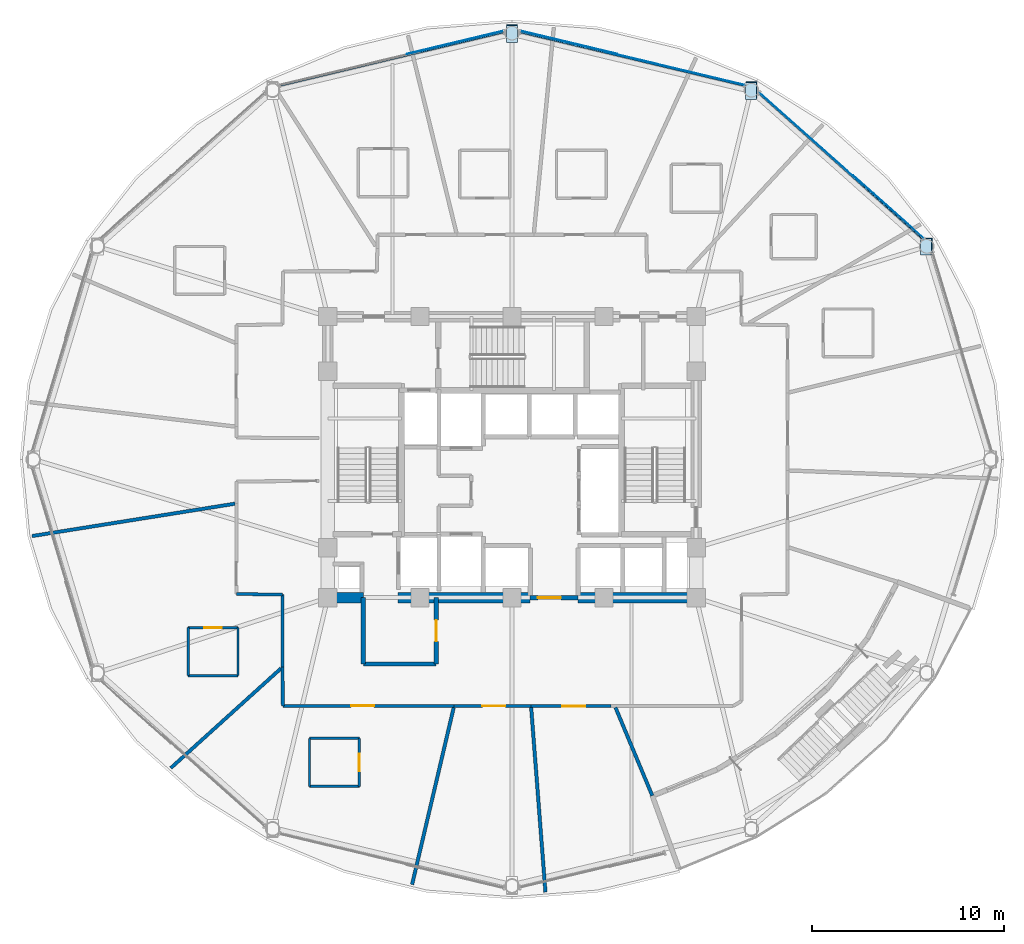
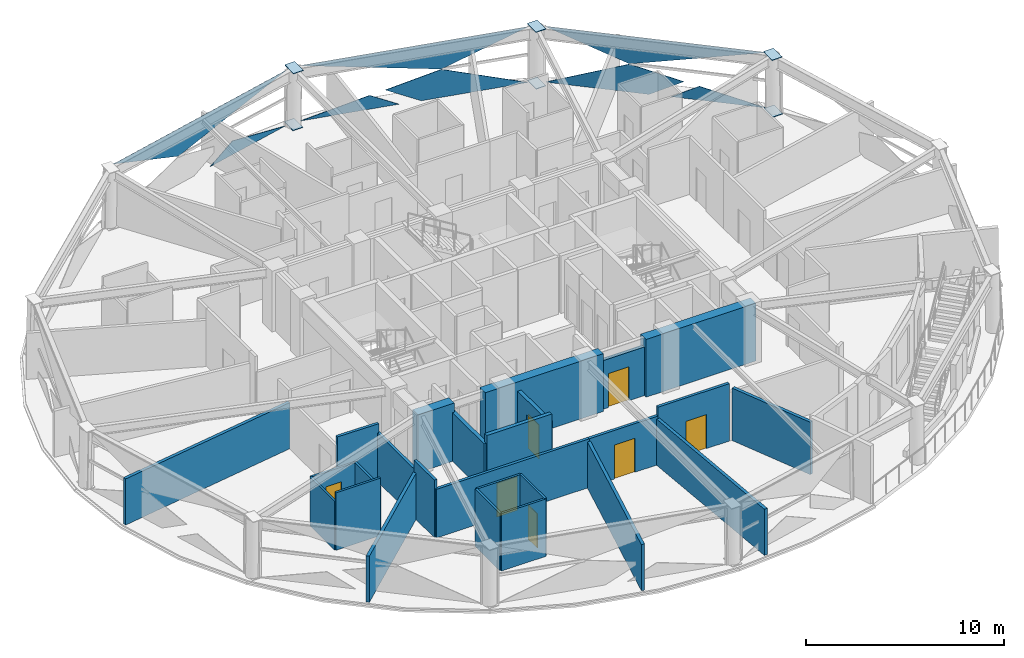
# One storey, part 10 of 18: 26 walls, 14 plates, 7 doors, 7 openings, 3 elements without a shape of their own.
"""IFC4 building model written with IfcOpenShell, lengths in metres."""

from ifc_helpers import new_model, si_unit, direction, frame, frame_2d, origin, place, context, subcontext, project, spatial, polyline, rectangle, outline, extrude, material, layer, layer_set, type_object, element, fill, aggregate, save


model = new_model("IFC4")

# Units and contexts
model_context = context("Model", 3, precision=1e-05, world=origin(), true_north=direction((0.0, 1.0)))
body_context = subcontext(model_context, "Body", "Model", "MODEL_VIEW")
ifc_project = project(units=[si_unit("LENGTHUNIT", "METRE"), si_unit("AREAUNIT", "SQUARE_METRE"), si_unit("VOLUMEUNIT", "CUBIC_METRE"), si_unit("PLANEANGLEUNIT", "RADIAN"), si_unit("MASSUNIT", "GRAM", prefix="KILO")], contexts=[model_context])

# Site, building, storey
site_placement = place(None, origin())
site = spatial("IfcSite", under=ifc_project, at=site_placement, CompositionType="ELEMENT")
building_placement = place(site_placement, origin())
building = spatial("IfcBuilding", under=site, at=building_placement, Name="Vantalir Tower", CompositionType="ELEMENT")
storey_placement = place(building_placement, frame((0.0, 0.0, 138.449951171875)))
storey = spatial("IfcBuildingStorey", under=building, at=storey_placement, Name="L34", CompositionType="ELEMENT", Elevation=138.449951171875)

# Curtain wall, plates
ifc_material_1 = material(Name="Champagne-silver PVDF aluminium and double-silver Low-E glass", Category="aluminium")
ifc_layer_1 = layer(ifc_material_1, 0.199951171875)
ifc_layer_set_1 = layer_set([ifc_layer_1], Name="Champagne-silver PVDF aluminium and double-silver Low-E glass")
curtain_wall_type = type_object("IfcCurtainWallType", Name="CW-DIAMOND-Z2", PredefinedType="USERDEFINED", material=ifc_layer_set_1)
curtain_wall_1_placement = place(storey_placement, origin())
curtain_wall_1 = element("IfcCurtainWall", 1, at=curtain_wall_1_placement, inside=storey, type_object=curtain_wall_type, Name="L34 Quilted Pyramid-Diamond Curtain Wall S02", ObjectType="UNITISED CURTAIN WALL", PredefinedType="USERDEFINED")
ifc_material_2 = material(Name="Double-silver Low-E laminated glass IGU", Category="glass")
ifc_layer_2 = layer(ifc_material_2, 0.028076171875)
ifc_layer_set_2 = layer_set([ifc_layer_2], Name="Double-silver Low-E laminated glass IGU")
plate_type_1 = type_object("IfcPlateType", Name="CWP-IGU-28", PredefinedType="CURTAIN_PANEL", material=ifc_layer_set_2)
plate_1_placement = place(storey_placement, frame((48.421630859375, 40.55029296875, 0.046630859375), z_axis=(0.665449307247, 0.746439611625, 0.002263996557), x_axis=(-0.746441524572, 0.665451012768, -4.3654e-08)))
plate_1 = element("IfcPlate", 2, at=plate_1_placement, type_object=plate_type_1, Name="CW-L34-S02 Pyramid Diamond Facet 1L", PredefinedType="CURTAIN_PANEL", context=body_context, shape_type="SweptSolid", body=[
    extrude(outline(polyline([(0.0, 0.0), (5.361467424654084, 0.0), (1.014038198574567, 1.7265669691877288), (-1.7937146036112217, 1.04175040436602), (0.0, 0.0)])), origin(), (0.0, 0.0, -1.0), 0.028076171875),
])
plate_2_placement = place(storey_placement, frame((52.9697265625, 36.53857421875, 0.046630859375), z_axis=(0.665458957582, 0.746431302276, 0.002164891852), x_axis=(-0.746433051453, 0.66546051701, 0.0)))
plate_2 = element("IfcPlate", 3, at=plate_2_placement, type_object=plate_type_1, Name="CW-L34-S02 Pyramid Diamond Facet 1L Infill Light", PredefinedType="CURTAIN_PANEL", context=body_context, shape_type="SweptSolid", body=[
    extrude(outline(polyline([(0.0, 0.0), (4.929695292616306, -8.673617379884035e-19), (3.471590010434163, 0.846681671597837), (0.0, 0.0)])), origin(), (0.0, 0.0, -1.0), 0.028076171875),
])
plate_3_placement = place(storey_placement, frame((44.388671875, 44.0703125, 3.5234375), z_axis=(0.665089471879, 0.746165478861, 0.029884319515), x_axis=(0.746498465783, -0.665387135527, 2.1424018e-05)))
plate_3 = element("IfcPlate", 4, at=plate_3_placement, type_object=plate_type_1, Name="CW-L34-S02 Pyramid Diamond Facet 2U", PredefinedType="CURTAIN_PANEL", context=body_context, shape_type="SweptSolid", body=[
    extrude(outline(polyline([(0.0, 0.0), (11.395650932216812, -4.049495114233359e-17), (4.338678010325397, 1.727426983420003), (0.0, 0.0)])), origin(), (0.0, 0.0, -1.0), 0.028076171875),
])
aggregate(curtain_wall_1, [plate_1, plate_2, plate_3])

curtain_wall_2_placement = place(storey_placement, origin())
curtain_wall_2 = element("IfcCurtainWall", 5, at=curtain_wall_2_placement, inside=storey, type_object=curtain_wall_type, Name="L34 Quilted Pyramid-Diamond Curtain Wall S03", ObjectType="UNITISED CURTAIN WALL", PredefinedType="USERDEFINED")
plate_4_placement = place(storey_placement, frame((43.637451171875, 44.526611328125, 0.046630859375), z_axis=(0.232269390394, 0.97264999422, 0.001708516984), x_axis=(-0.972651395759, 0.232269801005, -4.3222365e-05)))
plate_4 = element("IfcPlate", 6, at=plate_4_placement, type_object=plate_type_1, Name="CW-L34-S03 Pyramid Diamond Facet 1L", PredefinedType="CURTAIN_PANEL", context=body_context, shape_type="SweptSolid", body=[
    extrude(outline(polyline([(0.0, 0.0), (5.644835477015347, 2.439454888092385e-19), (7.530189870981301, 1.0420750413867494), (4.5755267924473895, 1.7270070854080548), (0.0, 0.0)])), origin(), (0.0, 0.0, -1.0), 0.028076171875),
])
plate_5_placement = place(storey_placement, frame((37.009521484375, 46.142333984375, 0.046630859375), z_axis=(0.232229102329, 0.972659222924, 0.001918356722), x_axis=(-0.972660990686, 0.232229616962, -4.6934037e-05)))
plate_5 = element("IfcPlate", 7, at=plate_5_placement, type_object=plate_type_1, Name="CW-L34-S03 Pyramid Diamond Facet 1L Infill Light", PredefinedType="CURTAIN_PANEL", context=body_context, shape_type="SweptSolid", body=[
    extrude(outline(polyline([(0.0, 0.0), (5.20178187564579, 2.710505431213761e-20), (1.5374650590287167, 0.8496830988360412), (0.0, 0.0)])), origin(), (0.0, 0.0, -1.0), 0.028076171875),
])
plate_6_placement = place(storey_placement, frame((31.942626953125, 47.264404296875, 3.523681640625), z_axis=(0.232196720041, 0.972232178585, 0.029142308174), x_axis=(0.972645425231, -0.232294804854, -2.0358879e-05)))
plate_6 = element("IfcPlate", 8, at=plate_6_placement, type_object=plate_type_1, Name="CW-L34-S03 Pyramid Diamond Facet 2U", PredefinedType="CURTAIN_PANEL", context=body_context, shape_type="SweptSolid", body=[
    extrude(outline(polyline([(0.0, 0.0), (11.991850325724592, -2.0166160408230382e-17), (7.435382879366715, 1.7276331784560743), (0.0, 0.0)])), origin(), (0.0, 0.0, -1.0), 0.028076171875),
])
aggregate(curtain_wall_2, [plate_4, plate_5, plate_6])

curtain_wall_3_placement = place(storey_placement, origin())
curtain_wall_3 = element("IfcCurtainWall", 9, at=curtain_wall_3_placement, inside=storey, type_object=curtain_wall_type, Name="L34 Quilted Pyramid-Diamond Curtain Wall S04", ObjectType="UNITISED CURTAIN WALL", PredefinedType="USERDEFINED")
plate_7_placement = place(storey_placement, frame((31.050048828125, 47.350341796875, 0.04638671875), z_axis=(-0.232250320464, 0.972654210132, 0.001891072762), x_axis=(-0.972655927632, -0.232250821828, 4.6938323e-05)))
plate_7 = element("IfcPlate", 10, at=plate_7_placement, type_object=plate_type_1, Name="CW-L34-S04 Pyramid Diamond Facet 1L Infill Light", PredefinedType="CURTAIN_PANEL", context=body_context, shape_type="SweptSolid", body=[
    extrude(outline(polyline([(0.0, 0.0), (5.201306944757472, -5.421010862427522e-20), (3.6640793900969824, 0.849683050120392), (0.0, 0.0)])), origin(), (0.0, 0.0, -1.0), 0.028076171875),
])
plate_8_placement = place(storey_placement, frame((19.39453125, 44.478759765625, 3.5234375), z_axis=(-0.232210545679, 0.972229014064, 0.029137719329), x_axis=(0.972642129189, 0.232308605335, 2.0360088e-05)))
plate_8 = element("IfcPlate", 11, at=plate_8_placement, type_object=plate_type_1, Name="CW-L34-S04 Pyramid Diamond Facet 2U", PredefinedType="CURTAIN_PANEL", context=body_context, shape_type="SweptSolid", body=[
    extrude(outline(polyline([(0.0, 0.0), (11.991137940145546, -1.6046192152785466e-17), (4.556230696711164, 1.7276329479335388), (0.0, 0.0)])), origin(), (0.0, 0.0, -1.0), 0.028076171875),
])
aggregate(curtain_wall_3, [plate_7, plate_8])

# Plates
ifc_material_3 = material(Name="Steel S460", Category="steel")
ifc_layer_3 = layer(ifc_material_3, 0.035888671875)
ifc_layer_set_3 = layer_set([ifc_layer_3], Name="Steel S460")
plate_type_2 = type_object("IfcPlateType", Name="PLT-KN-Z2", PredefinedType="USERDEFINED", material=ifc_layer_set_3)
plate_9_placement = place(storey_placement, frame((52.779541015625, 36.52978515625, 3.596923828125), z_axis=(-0.015150927113, -0.007489566799, 0.999857167698), x_axis=(-1.5742e-08, -0.99997194636, -0.007490426803)))
element("IfcPlate", 12, at=plate_9_placement, inside=storey, type_object=plate_type_2, Name="L34 Ring Column Top Cap RC02", ObjectType="FLANGE_PLATE", PredefinedType="USERDEFINED", context=body_context, shape_type="SweptSolid", body=[
    extrude(outline(polyline([(0.0, 0.0), (0.8799075039560212, 0.0), (0.8800857947708847, 0.5801447289593681), (-6.584296110336993e-05, 0.58014470124876), (0.0, 0.0)])), origin(), (0.0, 0.0, -1.0), 0.035888671875),
])
plate_10_placement = place(storey_placement, frame((52.833251953125, 36.556640625, 0.052001953125), z_axis=(-0.015157304985, -0.007489566075, 0.999857071038), x_axis=(-1.5749e-08, -0.99997194636, -0.007490426803)))
element("IfcPlate", 13, at=plate_10_placement, inside=storey, type_object=plate_type_2, Name="L34 Ring Column Base Cap RC02", ObjectType="FLANGE_PLATE", PredefinedType="USERDEFINED", context=body_context, shape_type="SweptSolid", body=[
    extrude(outline(polyline([(0.0, 0.0), (0.8799075039560214, 2.710505431213761e-20), (0.8800857947708847, 0.579900616374919), (-6.584296110336977e-05, 0.5799005886526459), (0.0, 0.0)])), origin(), (0.0, 0.0, -1.0), 0.035888671875),
])
plate_11_placement = place(storey_placement, frame((43.663818359375, 44.647705078125, 3.6015625), z_axis=(-0.008633308393, -0.013453683691, 0.999872224027), x_axis=(-1.181036e-06, -0.999909488218, -0.013454195294)))
element("IfcPlate", 14, at=plate_11_placement, inside=storey, type_object=plate_type_2, Name="L34 Ring Column Top Cap RC03", ObjectType="FLANGE_PLATE", PredefinedType="USERDEFINED", context=body_context, shape_type="SweptSolid", body=[
    extrude(outline(polyline([(0.0, 0.0), (0.8802082423324896, 1.3552527156068805e-20), (0.8801385784991216, 0.5798566337745333), (0.00017773940967657988, 0.579854554874146), (0.0, 0.0)])), origin(), (0.0, 0.0, -1.0), 0.035888671875),
])
plate_12_placement = place(storey_placement, frame((43.694580078125, 44.6953125, 0.056396484375), z_axis=(-0.008633308393, -0.013453683691, 0.999872224027), x_axis=(1.181368e-06, -0.999909488492, -0.013454174899)))
element("IfcPlate", 15, at=plate_12_placement, inside=storey, type_object=plate_type_2, Name="L34 Ring Column Base Cap RC03", ObjectType="FLANGE_PLATE", PredefinedType="USERDEFINED", context=body_context, shape_type="SweptSolid", body=[
    extrude(outline(polyline([(0.0, 0.0), (0.8799608390919006, 2.710505431213761e-20), (0.8801399484032871, 0.57985455445262), (-6.829392674607561e-05, 0.5798566339374953), (0.0, 0.0)])), origin(), (0.0, 0.0, -1.0), 0.035888671875),
])
plate_13_placement = place(storey_placement, frame((31.2099609375, 47.61962890625, 3.604736328125), z_axis=(0.0, -0.015254812794, 0.999883638573), x_axis=(0.0, -0.999883638573, -0.015254812794)))
element("IfcPlate", 16, at=plate_13_placement, inside=storey, type_object=plate_type_2, Name="L34 Ring Column Top Cap RC04", ObjectType="FLANGE_PLATE", PredefinedType="USERDEFINED", context=body_context, shape_type="SweptSolid", body=[
    extrude(outline(polyline([(0.0, 0.0), (0.8802293778712122, 0.0), (0.8802293778712122, 0.580078125), (0.0, 0.580078125), (0.0, 0.0)])), origin(), (0.0, 0.0, -1.0), 0.035888671875),
])
plate_14_placement = place(storey_placement, frame((31.2099609375, 47.674072265625, 0.059814453125), z_axis=(0.0, -0.015259044553, 0.999883574002), x_axis=(0.0, -0.999883574002, -0.015259044553)))
element("IfcPlate", 17, at=plate_14_placement, inside=storey, type_object=plate_type_2, Name="L34 Ring Column Base Cap RC04", ObjectType="FLANGE_PLATE", PredefinedType="USERDEFINED", context=body_context, shape_type="SweptSolid", body=[
    extrude(outline(polyline([(0.0, 0.0), (0.8799852656626449, 0.0), (0.8799852656626449, 0.5800781250000001), (0.0, 0.5800781250000001), (0.0, 0.0)])), origin(), (0.0, 0.0, -1.0), 0.035888671875),
])

# Wall
ifc_material_4 = material(Name="Moisture-resistant en-suite partition", Category="gypsum")
ifc_layer_4 = layer(ifc_material_4, 0.125)
ifc_layer_set_4 = layer_set([ifc_layer_4], Name="Moisture-resistant en-suite partition")
wall_type_1 = type_object("IfcWallType", Name="WL-BATH-125", PredefinedType="PARTITIONING", material=ifc_layer_set_4)
wall_1_placement = place(storey_placement, frame((14.615966796875, 13.739013671875, 0.0), z_axis=(0.0, 0.0, 1.0), x_axis=(1.0, 0.0, 0.0)))
element("IfcWall", 18, at=wall_1_placement, inside=storey, type_object=wall_type_1, Name="L34 En-suite 10 South Wall", PredefinedType="PARTITIONING", context=body_context, shape_type="SweptSolid", body=[
    extrude(rectangle(XDim=2.60009765625, YDim=0.125, at=frame_2d((1.300048828125, 0.0))), origin(), (0.0, 0.0, 1.0), 3.550048828125),
])

# Wall, opening, door
wall_2_placement = place(storey_placement, frame((14.615966796875, 16.239013671875, 0.0), z_axis=(0.0, 0.0, 1.0), x_axis=(1.0, 0.0, 0.0)))
wall_2 = element("IfcWall", 19, at=wall_2_placement, inside=storey, type_object=wall_type_1, Name="L34 En-suite 10 North Wall", PredefinedType="PARTITIONING", context=body_context, shape_type="SweptSolid", body=[
    extrude(rectangle(XDim=2.60009765625, YDim=0.125, at=frame_2d((1.300048828125, 0.0))), origin(), (0.0, 0.0, 1.0), 3.006103515625),
])
opening_1_placement = place(wall_2_placement, frame((0.85009765625, 0.0, 0.0)))
opening_1 = element("IfcOpeningElement", 20, at=opening_1_placement, cuts=wall_2, Name="Opening D-WC", PredefinedType="OPENING", context=body_context, shape_type="SweptSolid", body=[
    extrude(rectangle(XDim=0.89990234375, YDim=2.10009765625, at=frame_2d((0.449951171875, 1.050048828125))), frame((0.0, 0.072509765625, 0.0), z_axis=(0.0, -1.0, 0.0), x_axis=(1.0, 0.0, 0.0)), (0.0, 0.0, 1.0), 0.14501953125),
])
ifc_material_5 = material(Name="Moisture-resistant hardwood door", Category="wood")
door_type_1 = type_object("IfcDoorType", Name="DR-ENSUITE-900", OperationType="NOTDEFINED", PredefinedType="DOOR", material=ifc_material_5)
door_1_placement = place(opening_1_placement, frame((0.89990234375, 0.0, 0.0), z_axis=(0.0, 0.0, 1.0), x_axis=(-1.0, 0.0, 0.0)))
door_1 = element("IfcDoor", 21, at=door_1_placement, inside=storey, type_object=door_type_1, Name="L34 En-suite 10 Door", OperationType="SINGLE_SWING_LEFT", OverallHeight=2.10009765625, OverallWidth=0.89990234375, PredefinedType="DOOR", context=body_context, shape_type="SweptSolid", body=[
    extrude(rectangle(XDim=0.89990234375, YDim=2.10009765625, at=frame_2d((0.449951171875, 1.050048828125))), frame((0.0, 0.02490234375, 0.0), z_axis=(0.0, -1.0, 0.0), x_axis=(1.0, 0.0, 0.0)), (0.0, 0.0, 1.0), 0.050048828125),
])
fill(opening_1, door_1)

# Walls
for number, where, z_axis, x_axis, name in (
    (22, (14.615966796875, 13.739013671875, 0.0), (0.0, 0.0, 1.0), (0.0, 1.0, 0.0), "L34 En-suite 10 West Wall"),
    (23, (17.216064453125, 13.739013671875, 0.0), (0.0, 0.0, 1.0), (0.0, 1.0, 0.0), "L34 En-suite 10 East Wall"),
):
    element("IfcWall", number, at=place(storey_placement, frame(where, z_axis=z_axis, x_axis=x_axis)), inside=storey, type_object=wall_type_1, Name=name, PredefinedType="PARTITIONING", context=body_context, shape_type="SweptSolid", body=[
        extrude(rectangle(XDim=2.5, YDim=0.125, at=frame_2d((1.25, 0.0))), origin(), (0.0, 0.0, 1.0), 3.006103515625),
    ])
for number, where, z_axis, x_axis, name in (
    (24, (20.945068359375, 7.966064453125, 0.0), (0.0, 0.0, 1.0), (1.0, 0.0, 0.0), "L34 En-suite 11 South Wall"),
    (25, (20.945068359375, 10.466064453125, 0.0), (0.0, 0.0, 1.0), (1.0, 0.0, 0.0), "L34 En-suite 11 North Wall"),
):
    element("IfcWall", number, at=place(storey_placement, frame(where, z_axis=z_axis, x_axis=x_axis)), inside=storey, type_object=wall_type_1, Name=name, PredefinedType="PARTITIONING", context=body_context, shape_type="SweptSolid", body=[
        extrude(rectangle(XDim=2.599853515625, YDim=0.125, at=frame_2d((1.2998046875, 0.0))), origin(), (0.0, 0.0, 1.0), 3.550048828125),
    ])
wall_3_placement = place(storey_placement, frame((20.945068359375, 7.966064453125, 0.0), z_axis=(0.0, 0.0, 1.0), x_axis=(0.0, 1.0, 0.0)))
element("IfcWall", 26, at=wall_3_placement, inside=storey, type_object=wall_type_1, Name="L34 En-suite 11 West Wall", PredefinedType="PARTITIONING", context=body_context, shape_type="SweptSolid", body=[
    extrude(rectangle(XDim=2.5, YDim=0.125, at=frame_2d((1.25, 0.0))), origin(), (0.0, 0.0, 1.0), 3.550048828125),
])

# Wall, opening, door
wall_4_placement = place(storey_placement, frame((23.544921875, 7.966064453125, 0.0), z_axis=(0.0, 0.0, 1.0), x_axis=(0.0, 1.0, 0.0)))
wall_4 = element("IfcWall", 27, at=wall_4_placement, inside=storey, type_object=wall_type_1, Name="L34 En-suite 11 East Wall", PredefinedType="PARTITIONING", context=body_context, shape_type="SweptSolid", body=[
    extrude(rectangle(XDim=2.5, YDim=0.125, at=frame_2d((1.25, 0.0))), origin(), (0.0, 0.0, 1.0), 3.550048828125),
])
opening_2_placement = place(wall_4_placement, frame((0.800048828125, 0.0, 0.0)))
opening_2 = element("IfcOpeningElement", 28, at=opening_2_placement, cuts=wall_4, Name="Opening D-WC", PredefinedType="OPENING", context=body_context, shape_type="SweptSolid", body=[
    extrude(rectangle(XDim=0.89990234375, YDim=2.10009765625, at=frame_2d((0.449951171875, 1.050048828125))), frame((0.0, 0.072509765625, 0.0), z_axis=(0.0, -1.0, 0.0), x_axis=(1.0, 0.0, 0.0)), (0.0, 0.0, 1.0), 0.14501953125),
])
door_2_placement = place(opening_2_placement, origin())
door_2 = element("IfcDoor", 29, at=door_2_placement, inside=storey, type_object=door_type_1, Name="L34 En-suite 11 Door", OperationType="SINGLE_SWING_RIGHT", OverallHeight=2.10009765625, OverallWidth=0.89990234375, PredefinedType="DOOR", context=body_context, shape_type="SweptSolid", body=[
    extrude(rectangle(XDim=0.89990234375, YDim=2.10009765625, at=frame_2d((0.449951171875, 1.050048828125))), frame((0.0, 0.02490234375, 0.0), z_axis=(0.0, -1.0, 0.0), x_axis=(1.0, 0.0, 0.0)), (0.0, 0.0, 1.0), 0.050048828125),
])
fill(opening_2, door_2)

# Walls
ifc_material_6 = material(Name="Concrete C60/75", Category="concrete")
ifc_layer_5 = layer(ifc_material_6, 0.550048828125)
ifc_layer_set_5 = layer_set([ifc_layer_5], Name="Concrete C60/75")
wall_type_2 = type_object("IfcWallType", Name="WL-CORE-550", PredefinedType="SHEAR", material=ifc_layer_set_5)
wall_5_placement = place(storey_placement, frame((21.625, 17.800048828125, 0.0), z_axis=(0.0, 0.0, 1.0), x_axis=(1.0, 0.0, 0.0)))
element("IfcWall", 30, at=wall_5_placement, inside=storey, type_object=wall_type_2, Name="L34 Core Shear Wall South-West", PredefinedType="SHEAR", context=body_context, shape_type="SweptSolid", body=[
    extrude(rectangle(XDim=2.125, YDim=0.550048828125, at=frame_2d((1.0625, 0.0))), origin(), (0.0, 0.0, 1.0), 3.570068359375),
])
wall_6_placement = place(storey_placement, frame((25.550048828125, 17.800048828125, 0.0), z_axis=(0.0, 0.0, 1.0), x_axis=(1.0, 0.0, 0.0)))
element("IfcWall", 31, at=wall_6_placement, inside=storey, type_object=wall_type_2, Name="L34 Core Shear Wall South-Mid", PredefinedType="SHEAR", context=body_context, shape_type="SweptSolid", body=[
    extrude(rectangle(XDim=6.89990234375, YDim=0.550048828125, at=frame_2d((3.449951171875, 0.0))), origin(), (0.0, 0.0, 1.0), 3.570068359375),
])
wall_7_placement = place(storey_placement, frame((34.949951171875, 17.800048828125, 0.0), z_axis=(0.0, 0.0, 1.0), x_axis=(1.0, 0.0, 0.0)))
element("IfcWall", 32, at=wall_7_placement, inside=storey, type_object=wall_type_2, Name="L34 Core Shear Wall South-East", PredefinedType="SHEAR", context=body_context, shape_type="SweptSolid", body=[
    extrude(rectangle(XDim=6.425048828125, YDim=0.550048828125, at=frame_2d((3.21240234375, 0.0))), origin(), (0.0, 0.0, 1.0), 3.570068359375),
])

# Wall, opening, door
ifc_material_7 = material(Name="Fire-rated hotel corridor acoustic partition", Category="gypsum")
ifc_layer_6 = layer(ifc_material_7, 0.159912109375)
ifc_layer_set_6 = layer_set([ifc_layer_6], Name="Fire-rated hotel corridor acoustic partition")
wall_type_3 = type_object("IfcWallType", Name="WL-CORR-160", PredefinedType="PARTITIONING", material=ifc_layer_set_6)
wall_8_placement = place(storey_placement, frame((36.672119140625, 12.152099609375, 0.0), z_axis=(0.0, 0.0, 1.0), x_axis=(-0.999999972699, 0.000233672152, 0.0)))
wall_8 = element("IfcWall", 33, at=wall_8_placement, inside=storey, type_object=wall_type_3, Name="L34 Corridor Partition 27", PredefinedType="PARTITIONING", context=body_context, shape_type="SweptSolid", body=[
    extrude(rectangle(XDim=4.17919921875, YDim=0.159912109375, at=frame_2d((2.089599609375, 0.0))), origin(), (0.0, 0.0, 1.0), 3.550048828125),
])
opening_3_placement = place(wall_8_placement, frame((1.342041015625, 0.0, 0.0)))
opening_3 = element("IfcOpeningElement", 34, at=opening_3_placement, cuts=wall_8, Name="Opening D-STE", PredefinedType="OPENING", context=body_context, shape_type="SweptSolid", body=[
    extrude(rectangle(XDim=1.199951171875, YDim=2.10009765625, at=frame_2d((0.60009765625, 1.050048828125))), frame((0.0, 0.08984375, 0.0), z_axis=(0.0, -1.0, 0.0), x_axis=(1.0, 0.0, 0.0)), (0.0, 0.0, 1.0), 0.179931640625),
])
ifc_material_8 = material(Name="Solid-core teak veneer suite entrance door", Category="wood")
door_type_2 = type_object("IfcDoorType", Name="DR-SUITE-ENTRY-1200", OperationType="NOTDEFINED", PredefinedType="DOOR", material=ifc_material_8)
door_3_placement = place(opening_3_placement, origin())
door_3 = element("IfcDoor", 35, at=door_3_placement, inside=storey, type_object=door_type_2, Name="L34 Executive Sky Boardroom 13 Door", OperationType="SINGLE_SWING_RIGHT", OverallHeight=2.10009765625, OverallWidth=1.199951171875, PredefinedType="DOOR", context=body_context, shape_type="SweptSolid", body=[
    extrude(rectangle(XDim=1.199951171875, YDim=2.10009765625, at=frame_2d((0.60009765625, 1.050048828125))), frame((0.0, 0.02490234375, 0.0), z_axis=(0.0, -1.0, 0.0), x_axis=(1.0, 0.0, 0.0)), (0.0, 0.0, 1.0), 0.050048828125),
])
fill(opening_3, door_3)

wall_9_placement = place(storey_placement, frame((32.492919921875, 12.153076171875, 0.0), z_axis=(0.0, 0.0, 1.0), x_axis=(-0.99999997039, 0.000243353403, 0.0)))
wall_9 = element("IfcWall", 36, at=wall_9_placement, inside=storey, type_object=wall_type_3, Name="L34 Corridor Partition 28", PredefinedType="PARTITIONING", context=body_context, shape_type="SweptSolid", body=[
    extrude(rectangle(XDim=4.012939453125, YDim=0.159912109375, at=frame_2d((2.00634765625, 0.0))), origin(), (0.0, 0.0, 1.0), 3.006103515625),
])
opening_4_placement = place(wall_9_placement, frame((1.3330078125, 0.0, 0.0)))
opening_4 = element("IfcOpeningElement", 37, at=opening_4_placement, cuts=wall_9, Name="Opening D-STE", PredefinedType="OPENING", context=body_context, shape_type="SweptSolid", body=[
    extrude(rectangle(XDim=1.199951171875, YDim=2.10009765625, at=frame_2d((0.60009765625, 1.050048828125))), frame((0.0, 0.08984375, 0.0), z_axis=(0.0, -1.0, 0.0), x_axis=(1.0, 0.0, 0.0)), (0.0, 0.0, 1.0), 0.179931640625),
])
door_4_placement = place(opening_4_placement, origin())
door_4 = element("IfcDoor", 38, at=door_4_placement, inside=storey, type_object=door_type_2, Name="L34 Club Reading Lounge 12 Door", OperationType="SINGLE_SWING_LEFT", OverallHeight=2.10009765625, OverallWidth=1.199951171875, PredefinedType="DOOR", context=body_context, shape_type="SweptSolid", body=[
    extrude(rectangle(XDim=1.199951171875, YDim=2.10009765625, at=frame_2d((0.60009765625, 1.050048828125))), frame((0.0, 0.02490234375, 0.0), z_axis=(0.0, -1.0, 0.0), x_axis=(1.0, 0.0, 0.0)), (0.0, 0.0, 1.0), 0.050048828125),
])
fill(opening_4, door_4)

wall_10_placement = place(storey_placement, frame((28.47998046875, 12.154052734375, 0.0), z_axis=(0.0, 0.0, 1.0), x_axis=(-0.999999946148, 0.000328182671, 0.0)))
wall_10 = element("IfcWall", 39, at=wall_10_placement, inside=storey, type_object=wall_type_3, Name="L34 Corridor Partition 29", PredefinedType="PARTITIONING", context=body_context, shape_type="SweptSolid", body=[
    extrude(rectangle(XDim=8.927001953125, YDim=0.159912109375, at=frame_2d((4.46337890625, 0.0))), origin(), (0.0, 0.0, 1.0), 3.006103515625),
])
opening_5_placement = place(wall_10_placement, frame((4.159912109375, 0.0, 0.0)))
opening_5 = element("IfcOpeningElement", 40, at=opening_5_placement, cuts=wall_10, Name="Opening D-STE", PredefinedType="OPENING", context=body_context, shape_type="SweptSolid", body=[
    extrude(rectangle(XDim=1.199951171875, YDim=2.10009765625, at=frame_2d((0.60009765625, 1.050048828125))), frame((0.0, 0.08984375, 0.0), z_axis=(0.0, -1.0, 0.0), x_axis=(1.0, 0.0, 0.0)), (0.0, 0.0, 1.0), 0.179931640625),
])
door_5_placement = place(opening_5_placement, origin())
door_5 = element("IfcDoor", 41, at=door_5_placement, inside=storey, type_object=door_type_2, Name="L34 Corner Panorama Hotel Suite 11 Door", OperationType="SINGLE_SWING_RIGHT", OverallHeight=2.10009765625, OverallWidth=1.199951171875, PredefinedType="DOOR", context=body_context, shape_type="SweptSolid", body=[
    extrude(rectangle(XDim=1.199951171875, YDim=2.10009765625, at=frame_2d((0.60009765625, 1.050048828125))), frame((0.0, 0.02490234375, 0.0), z_axis=(0.0, -1.0, 0.0), x_axis=(1.0, 0.0, 0.0)), (0.0, 0.0, 1.0), 0.050048828125),
])
fill(opening_5, door_5)

# Walls
wall_11_placement = place(storey_placement, frame((19.552978515625, 12.156982421875, 0.0), z_axis=(0.0, 0.0, 1.0), x_axis=(-0.002879412178, 0.999995854484, 0.0)))
element("IfcWall", 42, at=wall_11_placement, inside=storey, type_object=wall_type_3, Name="L34 Corridor Partition 30", PredefinedType="PARTITIONING", context=body_context, shape_type="SweptSolid", body=[
    extrude(rectangle(XDim=2.034912109375, YDim=0.159912109375, at=frame_2d((1.017578125, 0.0))), origin(), (0.0, 0.0, 1.0), 3.550048828125),
])
wall_12_placement = place(storey_placement, frame((19.547119140625, 14.19189453125, 0.0), z_axis=(0.0, 0.0, 1.0), x_axis=(-0.003239583881, 0.999994752534, 0.0)))
element("IfcWall", 43, at=wall_12_placement, inside=storey, type_object=wall_type_3, Name="L34 Corridor Partition 31", PredefinedType="PARTITIONING", context=body_context, shape_type="SweptSolid", body=[
    extrude(rectangle(XDim=3.76806640625, YDim=0.159912109375, at=frame_2d((1.884033203125, 0.0))), origin(), (0.0, 0.0, 1.0), 3.006103515625),
])
wall_13_placement = place(storey_placement, frame((19.534912109375, 17.9599609375, 0.0), z_axis=(0.0, 0.0, 1.0), x_axis=(-0.999911141048, 0.013330791724, 0.0)))
element("IfcWall", 44, at=wall_13_placement, inside=storey, type_object=wall_type_3, Name="L34 Corridor Partition 32", PredefinedType="PARTITIONING", context=body_context, shape_type="SweptSolid", body=[
    extrude(rectangle(XDim=2.399169921875, YDim=0.159912109375, at=frame_2d((1.19970703125, 0.0))), origin(), (0.0, 0.0, 1.0), 3.550048828125),
])

# Wall, opening, door
ifc_material_9 = material(Name="Concrete blockwork with fireboard lining", Category="masonry")
ifc_layer_7 = layer(ifc_material_9, 0.219970703125)
ifc_layer_set_7 = layer_set([ifc_layer_7], Name="Concrete blockwork with fireboard lining")
wall_type_4 = type_object("IfcWallType", Name="WL-FFL-220", PredefinedType="PARTITIONING", material=ifc_layer_set_7)
wall_14_placement = place(storey_placement, frame((32.449951171875, 17.800048828125, 0.0), z_axis=(0.0, 0.0, 1.0), x_axis=(1.0, 0.0, 0.0)))
wall_14 = element("IfcWall", 45, at=wall_14_placement, inside=storey, type_object=wall_type_4, Name="L34 Passenger Lift Lobby South Wall", PredefinedType="PARTITIONING", context=body_context, shape_type="SweptSolid", body=[
    extrude(rectangle(XDim=2.5, YDim=0.219970703125, at=frame_2d((1.25, 0.0))), origin(), (0.0, 0.0, 1.0), 3.006103515625),
])
opening_6_placement = place(wall_14_placement, frame((0.39990234375, 0.0, 0.0)))
opening_6 = element("IfcOpeningElement", 46, at=opening_6_placement, cuts=wall_14, Name="Opening D-STE", PredefinedType="OPENING", context=body_context, shape_type="SweptSolid", body=[
    extrude(rectangle(XDim=1.199951171875, YDim=2.10009765625, at=frame_2d((0.60009765625, 1.050048828125))), frame((0.0, 0.119873046875, 0.0), z_axis=(0.0, -1.0, 0.0), x_axis=(1.0, 0.0, 0.0)), (0.0, 0.0, 1.0), 0.239990234375),
])
door_6_placement = place(opening_6_placement, origin())
door_6 = element("IfcDoor", 47, at=door_6_placement, inside=storey, type_object=door_type_2, Name="L34 Passenger Lift Lobby Concourse Door", OperationType="SINGLE_SWING_LEFT", OverallHeight=2.10009765625, OverallWidth=1.199951171875, PredefinedType="DOOR", context=body_context, shape_type="SweptSolid", body=[
    extrude(rectangle(XDim=1.199951171875, YDim=2.10009765625, at=frame_2d((0.60009765625, 1.050048828125))), frame((0.0, 0.02490234375, 0.0), z_axis=(0.0, -1.0, 0.0), x_axis=(1.0, 0.0, 0.0)), (0.0, 0.0, 1.0), 0.050048828125),
])
fill(opening_6, door_6)

# Walls
wall_15_placement = place(storey_placement, frame((23.75, 14.35009765625, 0.0), z_axis=(0.0, 0.0, 1.0), x_axis=(0.0, 1.0, 0.0)))
element("IfcWall", 48, at=wall_15_placement, inside=storey, type_object=wall_type_4, Name="L34 Firefighting Lobby West Outer W", PredefinedType="PARTITIONING", context=body_context, shape_type="SweptSolid", body=[
    extrude(rectangle(XDim=3.449951171875, YDim=0.219970703125, at=frame_2d((1.72509765625, 0.0))), origin(), (0.0, 0.0, 1.0), 3.006103515625),
])
wall_16_placement = place(storey_placement, frame((23.75, 14.35009765625, 0.0), z_axis=(0.0, 0.0, 1.0), x_axis=(1.0, 0.0, 0.0)))
element("IfcWall", 49, at=wall_16_placement, inside=storey, type_object=wall_type_4, Name="L34 Firefighting Lobby West South Wall", PredefinedType="PARTITIONING", context=body_context, shape_type="SweptSolid", body=[
    extrude(rectangle(XDim=3.800048828125, YDim=0.219970703125, at=frame_2d((1.89990234375, 0.0))), origin(), (0.0, 0.0, 1.0), 3.550048828125),
])

# Wall, opening, door
wall_17_placement = place(storey_placement, frame((27.550048828125, 14.35009765625, 0.0), z_axis=(0.0, 0.0, 1.0), x_axis=(0.0, 1.0, 0.0)))
wall_17 = element("IfcWall", 50, at=wall_17_placement, inside=storey, type_object=wall_type_4, Name="L34 Firefighting Lobby West East Wall", PredefinedType="PARTITIONING", context=body_context, shape_type="SweptSolid", body=[
    extrude(rectangle(XDim=3.449951171875, YDim=0.219970703125, at=frame_2d((1.72509765625, 0.0))), origin(), (0.0, 0.0, 1.0), 3.006103515625),
])
opening_7_placement = place(wall_17_placement, frame((1.175048828125, 0.0, 0.0)))
opening_7 = element("IfcOpeningElement", 51, at=opening_7_placement, cuts=wall_17, Name="Opening D-FFL", PredefinedType="OPENING", context=body_context, shape_type="SweptSolid", body=[
    extrude(rectangle(XDim=1.10009765625, YDim=2.10009765625, at=frame_2d((0.550048828125, 1.050048828125))), frame((0.0, 0.119873046875, 0.0), z_axis=(0.0, -1.0, 0.0), x_axis=(1.0, 0.0, 0.0)), (0.0, 0.0, 1.0), 0.239990234375),
])
ifc_material_10 = material(Name="Fire-rated acoustic steel door", Category="steel")
door_type_3 = type_object("IfcDoorType", Name="DR-FIRE-LOBBY-1100", OperationType="NOTDEFINED", PredefinedType="DOOR", material=ifc_material_10)
door_7_placement = place(opening_7_placement, origin())
door_7 = element("IfcDoor", 52, at=door_7_placement, inside=storey, type_object=door_type_3, Name="L34 Firefighting Lobby West Access Door", OperationType="SINGLE_SWING_LEFT", OverallHeight=2.10009765625, OverallWidth=1.10009765625, PredefinedType="DOOR", context=body_context, shape_type="SweptSolid", body=[
    extrude(rectangle(XDim=1.10009765625, YDim=2.10009765625, at=frame_2d((0.550048828125, 1.050048828125))), frame((0.0, 0.02490234375, 0.0), z_axis=(0.0, -1.0, 0.0), x_axis=(1.0, 0.0, 0.0)), (0.0, 0.0, 1.0), 0.050048828125),
])
fill(opening_7, door_7)

# Walls
ifc_material_11 = material(Name="Twin-stud acoustic fire-rated gypsum partition", Category="gypsum")
ifc_layer_8 = layer(ifc_material_11, 0.179931640625)
ifc_layer_set_8 = layer_set([ifc_layer_8], Name="Twin-stud acoustic fire-rated gypsum partition")
wall_type_5 = type_object("IfcWallType", Name="WL-GUEST-180", PredefinedType="PARTITIONING", material=ifc_layer_set_8)
wall_18_placement = place(storey_placement, frame((17.06005859375, 22.697998046875, 0.0), z_axis=(0.0, 0.0, 1.0), x_axis=(-0.987518175079, -0.15750509163, 0.0)))
element("IfcWall", 53, at=wall_18_placement, inside=storey, type_object=wall_type_5, Name="L34 Radial Suite Partition 10", PredefinedType="PARTITIONING", context=body_context, shape_type="SweptSolid", body=[
    extrude(rectangle(XDim=10.7109375, YDim=0.179931640625, at=frame_2d((5.35546875, 0.0))), origin(), (0.0, 0.0, 1.0), 2.85205078125),
])
wall_19_placement = place(storey_placement, frame((19.4599609375, 14.114013671875, 0.0), z_axis=(0.0, 0.0, 1.0), x_axis=(-0.741766369984, -0.670658372318, 0.0)))
element("IfcWall", 54, at=wall_19_placement, inside=storey, type_object=wall_type_5, Name="L34 Radial Suite Partition 11", PredefinedType="PARTITIONING", context=body_context, shape_type="SweptSolid", body=[
    extrude(rectangle(XDim=7.7490234375, YDim=0.179931640625, at=frame_2d((3.87451171875, 0.0))), origin(), (0.0, 0.0, 1.0), 2.85205078125),
])
wall_20_placement = place(storey_placement, frame((28.4619140625, 12.074951171875, 0.0), z_axis=(0.0, 0.0, 1.0), x_axis=(-0.228855543849, -0.9734603947, 0.0)))
element("IfcWall", 55, at=wall_20_placement, inside=storey, type_object=wall_type_5, Name="L34 Radial Suite Partition 12", PredefinedType="PARTITIONING", context=body_context, shape_type="SweptSolid", body=[
    extrude(rectangle(XDim=9.477294921875, YDim=0.179931640625, at=frame_2d((4.73876953125, 0.0))), origin(), (0.0, 0.0, 1.0), 2.85205078125),
])
wall_21_placement = place(storey_placement, frame((32.4990234375, 12.074951171875, 0.0), z_axis=(0.0, 0.0, 1.0), x_axis=(0.077166478808, -0.997018221773, 0.0)))
element("IfcWall", 56, at=wall_21_placement, inside=storey, type_object=wall_type_5, Name="L34 Radial Suite Partition 13", PredefinedType="PARTITIONING", context=body_context, shape_type="SweptSolid", body=[
    extrude(rectangle(XDim=9.65283203125, YDim=0.179931640625, at=frame_2d((4.826416015625, 0.0))), origin(), (0.0, 0.0, 1.0), 2.85205078125),
])
wall_22_placement = place(storey_placement, frame((36.89404296875, 12.074951171875, 0.0), z_axis=(0.0, 0.0, 1.0), x_axis=(0.385127024317, -0.922863573417, 0.0)))
element("IfcWall", 57, at=wall_22_placement, inside=storey, type_object=wall_type_5, Name="L34 Radial Suite Partition 14", PredefinedType="PARTITIONING", context=body_context, shape_type="SweptSolid", body=[
    extrude(rectangle(XDim=4.97998046875, YDim=0.179931640625, at=frame_2d((2.489990234375, 0.0))), origin(), (0.0, 0.0, 1.0), 3.238037109375),
])

save(model, "model.ifc")
